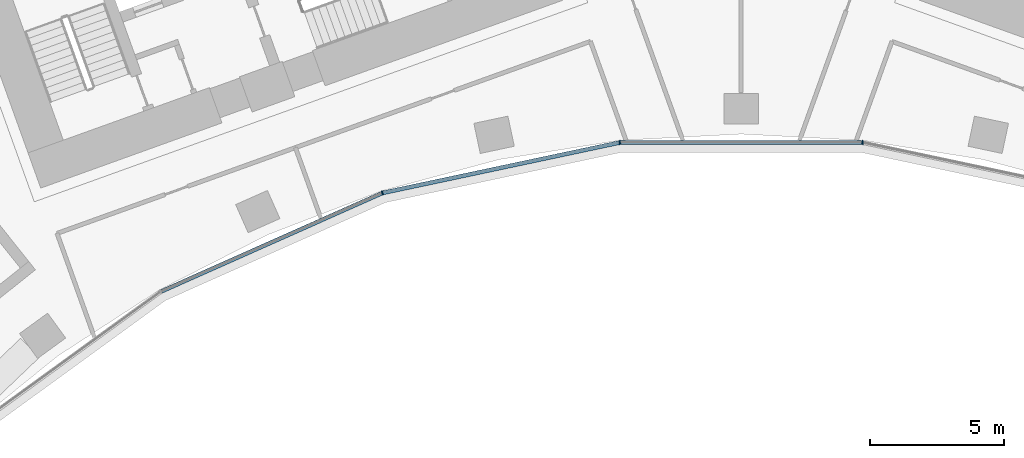
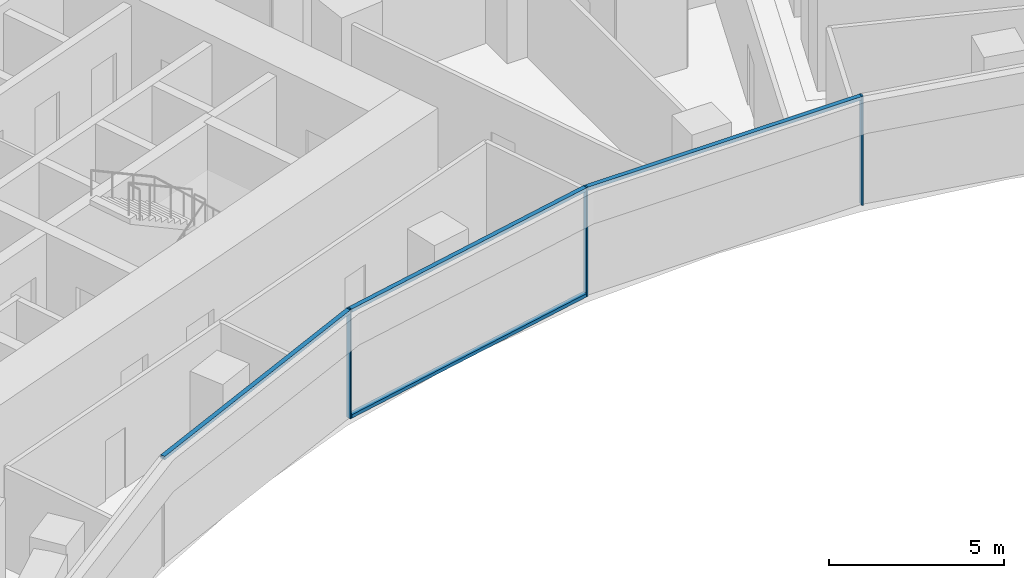
# One storey, part 5 of 23: 7 members, 1 element without a shape of its own.
"""IFC4 building model written with IfcOpenShell, lengths in metres."""

from ifc_helpers import new_model, si_unit, direction, frame, origin, origin_2d, place, context, subcontext, project, spatial, rectangle, extrude, material, layer, layer_set, material_profile, profile_set, type_object, element, aggregate, save


model = new_model("IFC4")

# Units and contexts
model_context = context("Model", 3, precision=1e-05, world=origin(), true_north=direction((0.0, 1.0)))
body_context = subcontext(model_context, "Body", "Model", "MODEL_VIEW")
ifc_project = project(units=[si_unit("LENGTHUNIT", "METRE"), si_unit("AREAUNIT", "SQUARE_METRE"), si_unit("VOLUMEUNIT", "CUBIC_METRE"), si_unit("PLANEANGLEUNIT", "RADIAN"), si_unit("MASSUNIT", "GRAM", prefix="KILO")], contexts=[model_context])

# Site, building, storey
site_placement = place(None, origin())
site = spatial("IfcSite", under=ifc_project, at=site_placement, CompositionType="ELEMENT")
building_placement = place(site_placement, origin())
building = spatial("IfcBuilding", under=site, at=building_placement, Name="Stone Belt Terrace Tower", CompositionType="ELEMENT")
storey_placement = place(building_placement, frame((0.0, 0.0, 98.39990234375)))
storey = spatial("IfcBuildingStorey", under=building, at=storey_placement, Name="L23", CompositionType="ELEMENT", Elevation=98.39990234375)

# Curtain wall, members
ifc_material = material(Name="Aluminium 6063-T6 anodised frame", Category="aluminium")
ifc_layer = layer(ifc_material, 0.14990234375)
ifc_layer_set = layer_set([ifc_layer], Name="CW-B unitised concave-face curtain wall")
curtain_wall_type = type_object("IfcCurtainWallType", Name="CW-B unitised concave-face curtain wall", PredefinedType="NOTDEFINED", material=ifc_layer_set)
curtain_wall_placement = place(storey_placement, origin())
curtain_wall = element("IfcCurtainWall", 1, at=curtain_wall_placement, inside=storey, type_object=curtain_wall_type, Name="CW-B concave face L23", PredefinedType="NOTDEFINED")
ifc_material_profile_1 = material_profile(ifc_material, rectangle(XDim=0.14990234375, YDim=0.050048828125, at=origin_2d()), Name="Aluminium 6063-T6 50x150")
ifc_profile_set_1 = profile_set([ifc_material_profile_1], Name="Aluminium 6063-T6 anodised frame")
member_type_1 = type_object("IfcMemberType", Name="CW-B mullion 50 x 150", PredefinedType="MULLION", material=ifc_profile_set_1)
member_1_placement = place(storey_placement, frame((-13.4189453125, 41.29931640625, 0.0), z_axis=(0.0, 0.0, 1.0), x_axis=(-0.309016994375, 0.951056516295, 0.0)))
member_1 = element("IfcMember", 2, at=member_1_placement, type_object=member_type_1, Name="CW-B mullion 4", PredefinedType="MULLION", context=body_context, shape_type="SweptSolid", body=[
    extrude(rectangle(XDim=0.14990234375, YDim=0.050048828125, at=origin_2d()), origin(), (0.0, 0.0, 1.0), 3.800048828125),
])
member_2_placement = place(storey_placement, frame((-4.5390625, 43.186767578125, 0.0), z_axis=(0.0, 0.0, 1.0), x_axis=(-0.104528463268, 0.994521895368, 0.0)))
member_2 = element("IfcMember", 3, at=member_2_placement, type_object=member_type_1, Name="CW-B mullion 5", PredefinedType="MULLION", context=body_context, shape_type="SweptSolid", body=[
    extrude(rectangle(XDim=0.14990234375, YDim=0.050048828125, at=origin_2d()), origin(), (0.0, 0.0, 1.0), 3.800048828125),
])
member_3_placement = place(storey_placement, frame((4.5390625, 43.186767578125, 0.0), z_axis=(0.0, 0.0, 1.0), x_axis=(0.104528463268, 0.994521895368, 0.0)))
member_3 = element("IfcMember", 4, at=member_3_placement, type_object=member_type_1, Name="CW-B mullion 6", PredefinedType="MULLION", context=body_context, shape_type="SweptSolid", body=[
    extrude(rectangle(XDim=0.14990234375, YDim=0.050048828125, at=origin_2d()), origin(), (0.0, 0.0, 1.0), 3.800048828125),
])
ifc_material_profile_2 = material_profile(ifc_material, rectangle(XDim=0.14990234375, YDim=0.1201171875, at=origin_2d()), Name="Aluminium 6063-T6 150x120")
ifc_profile_set_2 = profile_set([ifc_material_profile_2], Name="Aluminium 6063-T6 anodised frame")
member_type_2 = type_object("IfcMemberType", Name="CW-B transom 120 x 150", PredefinedType="USERDEFINED", material=ifc_profile_set_2)
member_4_placement = place(storey_placement, frame((-21.682373046875, 37.6201171875, 3.739990234375), z_axis=(0.913548853737, 0.406729015237, 0.0), x_axis=(-0.406729015237, 0.913548853737, 0.0)))
member_4 = element("IfcMember", 5, at=member_4_placement, type_object=member_type_2, Name="CW-B transom 3.1", ObjectType="TRANSOM", PredefinedType="USERDEFINED", context=body_context, shape_type="SweptSolid", body=[
    extrude(rectangle(XDim=0.14990234375, YDim=0.1201171875, at=origin_2d()), origin(), (0.0, 0.0, 1.0), 9.0126953125),
])
member_5_placement = place(storey_placement, frame((-13.386962890625, 41.30615234375, 0.06005859375), z_axis=(0.9781499003, 0.207900871914, 0.0), x_axis=(-0.207900871914, 0.9781499003, 0.0)))
member_5 = element("IfcMember", 6, at=member_5_placement, type_object=member_type_2, Name="CW-B transom 4.1", ObjectType="TRANSOM", PredefinedType="USERDEFINED", context=body_context, shape_type="SweptSolid", body=[
    extrude(rectangle(XDim=0.14990234375, YDim=0.1201171875, at=origin_2d()), origin(), (0.0, 0.0, 1.0), 9.012939453125),
])
member_6_placement = place(storey_placement, frame((-13.386962890625, 41.30615234375, 3.739990234375), z_axis=(0.9781499003, 0.207900871914, 0.0), x_axis=(-0.207900871914, 0.9781499003, 0.0)))
member_6 = element("IfcMember", 7, at=member_6_placement, type_object=member_type_2, Name="CW-B transom 4.2", ObjectType="TRANSOM", PredefinedType="USERDEFINED", context=body_context, shape_type="SweptSolid", body=[
    extrude(rectangle(XDim=0.14990234375, YDim=0.1201171875, at=origin_2d()), origin(), (0.0, 0.0, 1.0), 9.012939453125),
])
member_7_placement = place(storey_placement, frame((-4.50634765625, 43.186767578125, 3.739990234375), z_axis=(1.0, 0.0, 0.0), x_axis=(0.0, 1.0, 0.0)))
member_7 = element("IfcMember", 8, at=member_7_placement, type_object=member_type_2, Name="CW-B transom 5.1", ObjectType="TRANSOM", PredefinedType="USERDEFINED", context=body_context, shape_type="SweptSolid", body=[
    extrude(rectangle(XDim=0.14990234375, YDim=0.1201171875, at=origin_2d()), origin(), (0.0, 0.0, 1.0), 9.0126953125),
])
aggregate(curtain_wall, [member_1, member_2, member_3, member_4, member_5, member_6, member_7])

save(model, "model.ifc")
